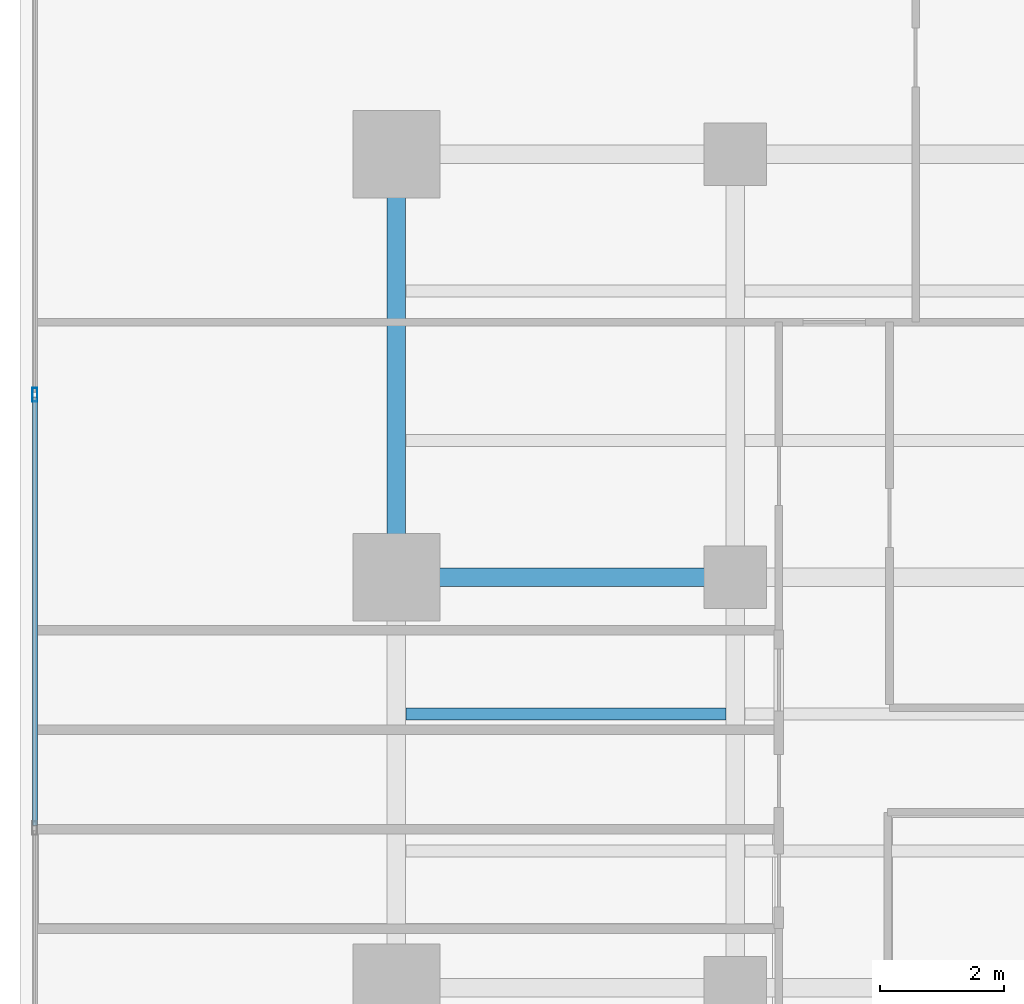
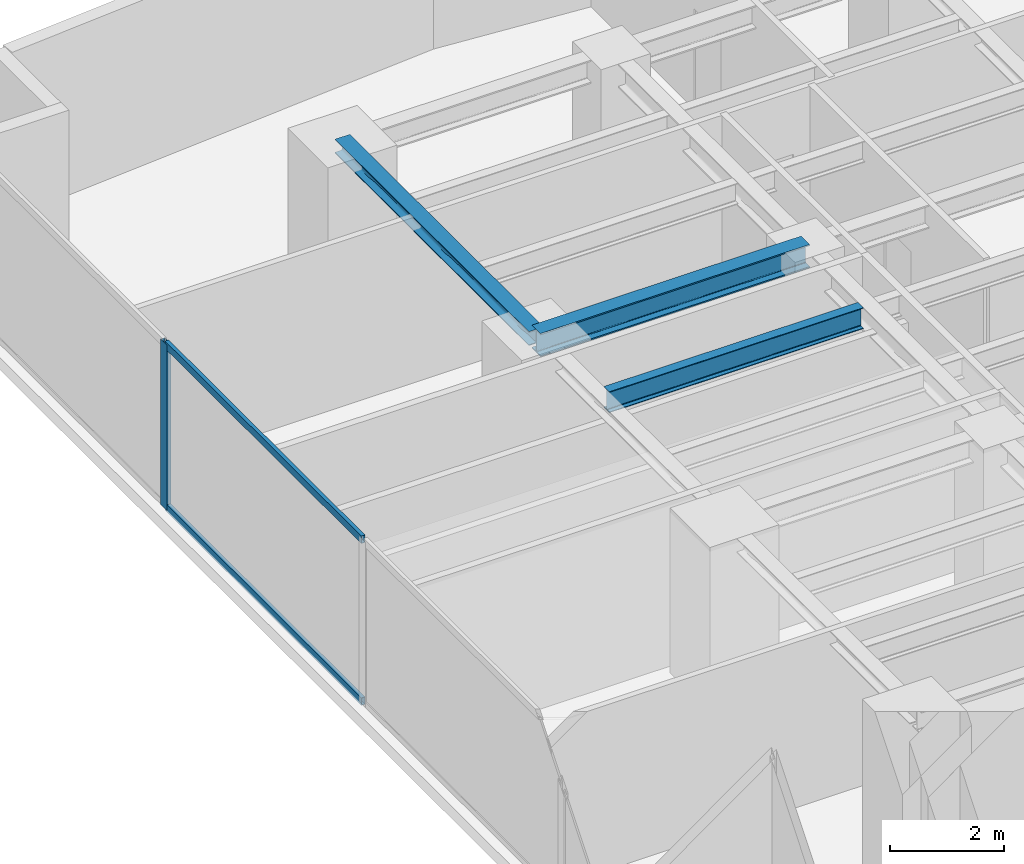
# One storey, part 16 of 28: 3 beams, 3 members, 1 element without a shape of its own.
"""IFC4 building model written with IfcOpenShell, lengths in metres."""

from ifc_helpers import new_model, si_unit, direction, frame, origin, origin_with_axes, origin_2d, place, context, subcontext, project, spatial, hollow_rectangle, i_section, extrude, source, transform, mapped, material, layer, layer_set, material_profile, profile_set, type_object, element, aggregate, save


model = new_model("IFC4")

# Units and contexts
model_context = context("Model", 3, precision=1e-05, world=origin(), true_north=direction((0.0, 1.0)))
body_context = subcontext(model_context, "Body", "Model", "MODEL_VIEW")
ifc_project = project(units=[si_unit("LENGTHUNIT", "METRE"), si_unit("AREAUNIT", "SQUARE_METRE"), si_unit("VOLUMEUNIT", "CUBIC_METRE"), si_unit("PLANEANGLEUNIT", "RADIAN"), si_unit("MASSUNIT", "GRAM", prefix="KILO")], contexts=[model_context])

# Site, building, storey
site_placement = place(None, origin())
site = spatial("IfcSite", under=ifc_project, at=site_placement, CompositionType="ELEMENT")
building_placement = place(site_placement, origin())
building = spatial("IfcBuilding", under=site, at=building_placement, Name="Kolvaren Waterfront Exchange", CompositionType="ELEMENT")
storey_placement = place(building_placement, frame((0.0, 0.0, 114.5)))
storey = spatial("IfcBuildingStorey", under=building, at=storey_placement, Name="L29", CompositionType="ELEMENT", Elevation=114.5)

# Beams
ifc_material_1 = material(Name="Steel S355", Category="steel")
ifc_material_profile_1 = material_profile(ifc_material_1, i_section(OverallWidth=0.300048828125, OverallDepth=0.300048828125, WebThickness=0.010986328125, FlangeThickness=0.01904296875, FilletRadius=0.027099609375, at=origin_2d()), Name="HEB300")
ifc_profile_set_1 = profile_set([ifc_material_profile_1], Name="Steel S355")
beam_type_1 = type_object("IfcBeamType", Name="STR-BM-HEB300", PredefinedType="SPANDREL", material=ifc_profile_set_1)
beam_1_placement = place(storey_placement, frame((7.449951171875, 37.800048828125, 3.389892578125), z_axis=(0.0, 1.0, 0.0), x_axis=(-1.0, 0.0, 0.0)))
element("IfcBeam", 1, at=beam_1_placement, inside=storey, type_object=beam_type_1, Name="L29 north-arm edge beam 3", PredefinedType="SPANDREL", context=body_context, shape_type="SweptSolid", body=[
    extrude(i_section(OverallWidth=0.300048828125, OverallDepth=0.300048828125, WebThickness=0.010986328125, FlangeThickness=0.01904296875, FilletRadius=0.027099609375, at=origin_2d()), origin(), (0.0, 0.0, 1.0), 6.800048828125),
])
ifc_material_profile_2 = material_profile(ifc_material_1, i_section(OverallWidth=0.300048828125, OverallDepth=0.5, WebThickness=0.014404296875, FlangeThickness=0.028076171875, FilletRadius=0.027099609375, at=origin_2d()), Name="HEB500")
ifc_profile_set_2 = profile_set([ifc_material_profile_2], Name="Steel S355")
beam_type_2 = type_object("IfcBeamType", Name="STR-BM-HEB500", PredefinedType="BEAM", material=ifc_profile_set_2)
beam_2_placement = place(storey_placement, frame((7.449951171875, 37.800048828125, 3.2900390625), z_axis=(1.0, 0.0, 0.0), x_axis=(0.0, 1.0, 0.0)))
element("IfcBeam", 2, at=beam_2_placement, inside=storey, type_object=beam_type_2, Name="L29 north-arm girder 3A", PredefinedType="BEAM", context=body_context, shape_type="SweptSolid", body=[
    extrude(i_section(OverallWidth=0.300048828125, OverallDepth=0.5, WebThickness=0.014404296875, FlangeThickness=0.028076171875, FilletRadius=0.027099609375, at=origin_2d()), origin(), (0.0, 0.0, 1.0), 5.449951171875),
])
ifc_material_profile_3 = material_profile(ifc_material_1, i_section(OverallWidth=0.18994140625, OverallDepth=0.449951171875, WebThickness=0.009521484375, FlangeThickness=0.0146484375, FilletRadius=0.02099609375, at=origin_2d()), Name="IPE450")
ifc_profile_set_3 = profile_set([ifc_material_profile_3], Name="Steel S355")
beam_type_3 = type_object("IfcBeamType", Name="STR-BM-IPE450", PredefinedType="JOIST", material=ifc_profile_set_3)
beam_3_placement = place(storey_placement, frame((7.60205078125, 35.60009765625, 3.31494140625), z_axis=(1.0, 0.0, 0.0), x_axis=(0.0, 1.0, 0.0)))
element("IfcBeam", 3, at=beam_3_placement, inside=storey, type_object=beam_type_3, Name="L29 north-arm composite joist 4A", PredefinedType="JOIST", context=body_context, shape_type="SweptSolid", body=[
    extrude(i_section(OverallWidth=0.18994140625, OverallDepth=0.449951171875, WebThickness=0.009521484375, FlangeThickness=0.0146484375, FilletRadius=0.02099609375, at=origin_2d()), origin(), (0.0, 0.0, 1.0), 5.14599609375),
])

# Curtain wall, members
ifc_material_2 = material(Name="Anodised aluminium 6063-T6", Category="aluminium")
ifc_layer = layer(ifc_material_2, 0.219970703125, Name="Anodised aluminium 6063-T6")
ifc_layer_set = layer_set([ifc_layer], Name="Anodised aluminium 6063-T6")
curtain_wall_type = type_object("IfcCurtainWallType", Name="ARC-CW-SYS2", PredefinedType="USERDEFINED", material=ifc_layer_set)
curtain_wall_placement = place(storey_placement, origin())
curtain_wall = element("IfcCurtainWall", 4, at=curtain_wall_placement, inside=storey, type_object=curtain_wall_type, Name="L29 stick curtain wall CW2 (CW-L29-W)", ObjectType="STICK CURTAIN WALL", PredefinedType="USERDEFINED")
ifc_material_profile_4 = material_profile(ifc_material_2, hollow_rectangle(XDim=0.080078125, YDim=0.219970703125, WallThickness=0.0048828125, at=origin_2d()), Name="ALU-MUL-220x80x5")
ifc_profile_set_4 = profile_set([ifc_material_profile_4], Name="Anodised aluminium 6063-T6")
member_type_1 = type_object("IfcMemberType", Name="ARC-CWM-220", PredefinedType="MULLION", material=ifc_profile_set_4)
shared_shape_1 = source(origin_with_axes(), body_context, "Body", "SweptSolid", [
    extrude(hollow_rectangle(XDim=0.080078125, YDim=0.219970703125, WallThickness=0.0048828125, at=origin_2d()), origin(), (0.0, 0.0, 1.0), 3.5400390625),
])
member_1_placement = place(storey_placement, frame((1.639892578125, 40.7333984375, 0.0), z_axis=(0.0, 0.0, 1.0), x_axis=(-1.0, 0.0, 0.0)))
member_1 = element("IfcMember", 5, at=member_1_placement, type_object=member_type_1, Name="CW2 mullion 6", PredefinedType="MULLION", context=body_context, shape_type="MappedRepresentation", body=[
    mapped(shared_shape_1, transform((0.0, 0.0, 0.0), x_axis=(1.0, 0.0, 0.0), y_axis=(0.0, 1.0, 0.0), z_axis=(0.0, 0.0, 1.0), scale=1.0)),
])
ifc_material_profile_5 = material_profile(ifc_material_2, hollow_rectangle(XDim=0.074951171875, YDim=0.159912109375, WallThickness=0.00439453125, at=origin_2d()), Name="ALU-TRN-160x75x4.5")
ifc_profile_set_5 = profile_set([ifc_material_profile_5], Name="Anodised aluminium 6063-T6")
member_type_2 = type_object("IfcMemberType", Name="ARC-CWT-160", PredefinedType="USERDEFINED", material=ifc_profile_set_5)
shared_shape_2 = source(origin_with_axes(), body_context, "Body", "SweptSolid", [
    extrude(hollow_rectangle(XDim=0.074951171875, YDim=0.159912109375, WallThickness=0.00439453125, at=origin_2d()), origin(), (0.0, 0.0, 1.0), 6.88671875),
])
member_2_placement = place(storey_placement, frame((1.639892578125, 33.806640625, 0.03759765625), z_axis=(0.0, 1.0, 0.0), x_axis=(-1.0, 0.0, 0.0)))
member_2 = element("IfcMember", 6, at=member_2_placement, type_object=member_type_2, Name="CW2 transom 5.1", ObjectType="TRANSOM", PredefinedType="USERDEFINED", context=body_context, shape_type="MappedRepresentation", body=[
    mapped(shared_shape_2, transform((0.0, 0.0, 0.0), x_axis=(1.0, 0.0, 0.0), y_axis=(0.0, 1.0, 0.0), z_axis=(0.0, 0.0, 1.0), scale=1.0)),
])
member_3_placement = place(storey_placement, frame((1.639892578125, 33.806640625, 3.50244140625), z_axis=(0.0, 1.0, 0.0), x_axis=(-1.0, 0.0, 0.0)))
member_3 = element("IfcMember", 7, at=member_3_placement, type_object=member_type_2, Name="CW2 transom 5.2", ObjectType="TRANSOM", PredefinedType="USERDEFINED", context=body_context, shape_type="MappedRepresentation", body=[
    mapped(shared_shape_2, transform((0.0, 0.0, 0.0), x_axis=(1.0, 0.0, 0.0), y_axis=(0.0, 1.0, 0.0), z_axis=(0.0, 0.0, 1.0), scale=1.0)),
])
aggregate(curtain_wall, [member_1, member_2, member_3])

save(model, "model.ifc")
